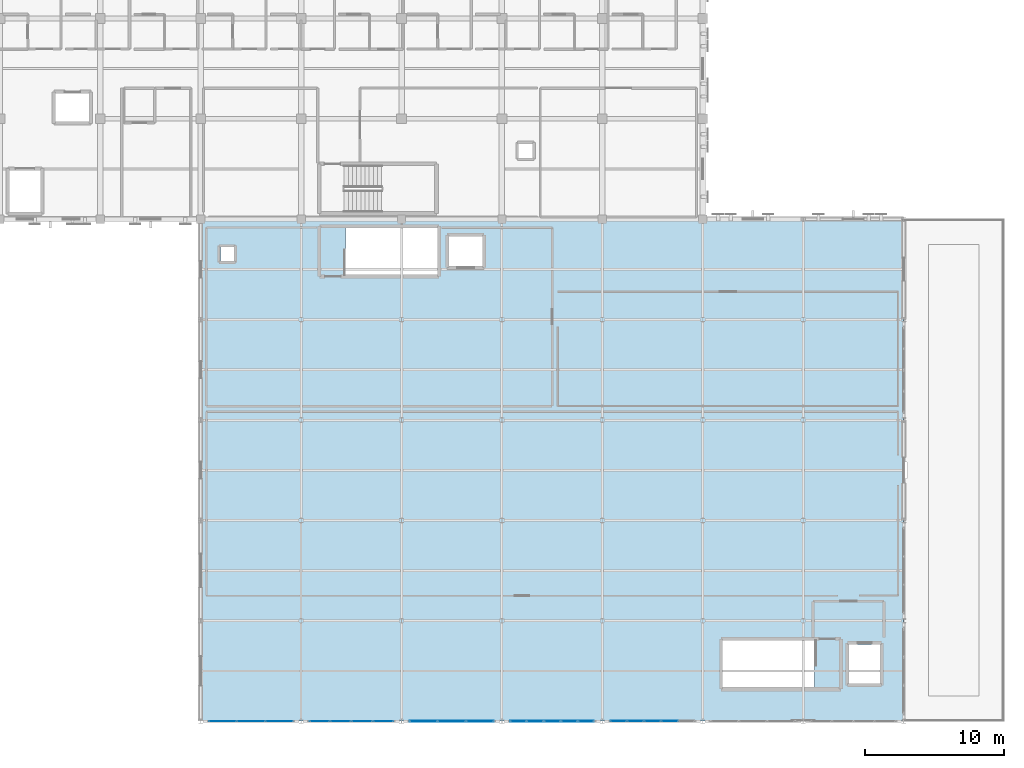
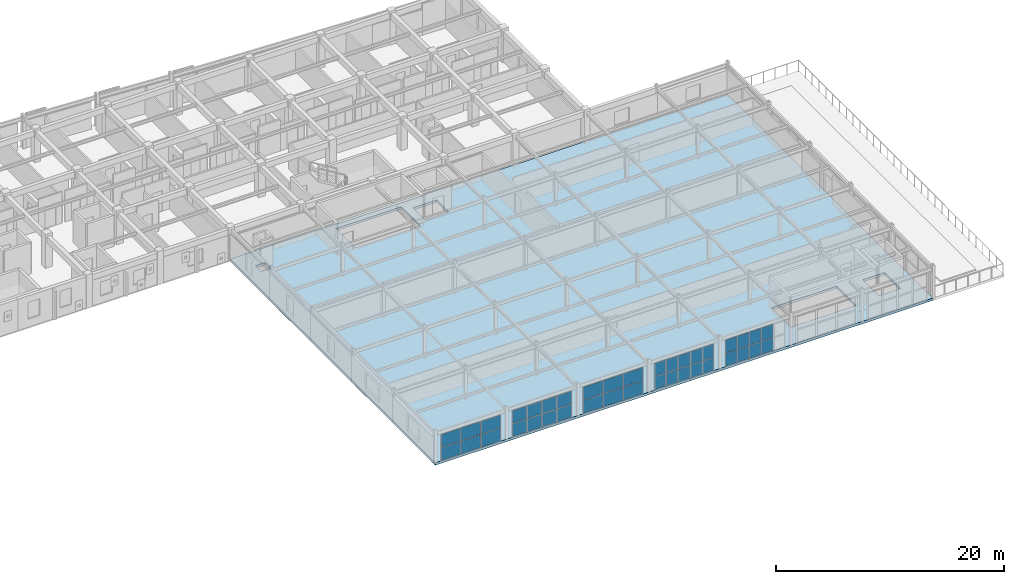
# One storey, part 53 of 73: 38 plates, 1 slab, 5 elements without a shape of their own.
"""IFC4 building model written with IfcOpenShell, lengths in metres."""

from ifc_helpers import new_model, si_unit, direction, frame, origin, origin_2d, place, context, subcontext, project, spatial, polyline, rectangle, outline, extrude, material, layer, layer_set, type_object, element, aggregate, save


model = new_model("IFC4")

# Units and contexts
model_context = context("Model", 3, precision=1e-05, world=origin(), true_north=direction((0.0, 1.0)))
body_context = subcontext(model_context, "Body", "Model", "MODEL_VIEW")
ifc_project = project(units=[si_unit("LENGTHUNIT", "METRE"), si_unit("AREAUNIT", "SQUARE_METRE"), si_unit("VOLUMEUNIT", "CUBIC_METRE"), si_unit("PLANEANGLEUNIT", "RADIAN"), si_unit("MASSUNIT", "GRAM", prefix="KILO")], contexts=[model_context])

# Site, building, storey
site_placement = place(None, origin())
site = spatial("IfcSite", under=ifc_project, at=site_placement, CompositionType="ELEMENT")
building_placement = place(site_placement, origin())
building = spatial("IfcBuilding", under=site, at=building_placement, Name="Carrowvane Square Congress Hotel", CompositionType="ELEMENT")
storey_placement = place(building_placement, frame((0.0, 0.0, 19.199951171875)))
storey = spatial("IfcBuildingStorey", under=building, at=storey_placement, Name="L04", CompositionType="ELEMENT", Elevation=19.199951171875)

# Curtain wall, plates
ifc_material_1 = material(Name="Anodised aluminium", Category="aluminium")
ifc_layer_1 = layer(ifc_material_1, 0.174072265625)
ifc_layer_set_1 = layer_set([ifc_layer_1], Name="Anodised aluminium")
curtain_wall_type_1 = type_object("IfcCurtainWallType", Name="CW-SYS-2", PredefinedType="NOTDEFINED", material=ifc_layer_set_1)
curtain_wall_1_placement = place(storey_placement, origin())
curtain_wall_1 = element("IfcCurtainWall", 1, at=curtain_wall_1_placement, inside=storey, type_object=curtain_wall_type_1, Name="L04 unitised curtain wall 305", PredefinedType="NOTDEFINED")
ifc_material_2 = material(Name="Double-glazed low-E glass", Category="glass")
ifc_layer_2 = layer(ifc_material_2, 0.028076171875)
ifc_layer_set_2 = layer_set([ifc_layer_2], Name="Double-glazed low-E glass")
plate_type_1 = type_object("IfcPlateType", Name="CW-PAN-1", PredefinedType="CURTAIN_PANEL", material=ifc_layer_set_2)
plate_1_placement = place(storey_placement, frame((139.87744140625, 55.800048828125, 0.070068359375), z_axis=(0.0, 0.0, 1.0), x_axis=(-1.0, 0.0, 0.0)))
plate_1 = element("IfcPlate", 2, at=plate_1_placement, type_object=plate_type_1, Name="CW-2 panel 1.1", PredefinedType="CURTAIN_PANEL", context=body_context, shape_type="SweptSolid", body=[
    extrude(rectangle(XDim=1.425048828125, YDim=0.028076171875, at=origin_2d()), origin(), (0.0, 0.0, 1.0), 1.35791015625),
])
plate_2_placement = place(storey_placement, frame((139.87744140625, 55.800048828125, 1.497802734375), z_axis=(0.0, 0.0, 1.0), x_axis=(-1.0, 0.0, 0.0)))
plate_2 = element("IfcPlate", 3, at=plate_2_placement, type_object=plate_type_1, Name="CW-2 panel 1.2", PredefinedType="CURTAIN_PANEL", context=body_context, shape_type="SweptSolid", body=[
    extrude(rectangle(XDim=1.425048828125, YDim=0.028076171875, at=origin_2d()), origin(), (0.0, 0.0, 1.0), 1.35791015625),
])
plate_3_placement = place(storey_placement, frame((138.364990234375, 55.800048828125, 0.070068359375), z_axis=(0.0, 0.0, 1.0), x_axis=(-1.0, 0.0, 0.0)))
plate_3 = element("IfcPlate", 4, at=plate_3_placement, type_object=plate_type_1, Name="CW-2 panel 2.1", PredefinedType="CURTAIN_PANEL", context=body_context, shape_type="SweptSolid", body=[
    extrude(rectangle(XDim=1.4599609375, YDim=0.028076171875, at=origin_2d()), origin(), (0.0, 0.0, 1.0), 1.35791015625),
])
plate_4_placement = place(storey_placement, frame((138.364990234375, 55.800048828125, 1.497802734375), z_axis=(0.0, 0.0, 1.0), x_axis=(-1.0, 0.0, 0.0)))
plate_4 = element("IfcPlate", 5, at=plate_4_placement, type_object=plate_type_1, Name="CW-2 panel 2.2", PredefinedType="CURTAIN_PANEL", context=body_context, shape_type="SweptSolid", body=[
    extrude(rectangle(XDim=1.4599609375, YDim=0.028076171875, at=origin_2d()), origin(), (0.0, 0.0, 1.0), 1.35791015625),
])
plate_5_placement = place(storey_placement, frame((136.8349609375, 55.800048828125, 0.070068359375), z_axis=(0.0, 0.0, 1.0), x_axis=(-1.0, 0.0, 0.0)))
plate_5 = element("IfcPlate", 6, at=plate_5_placement, type_object=plate_type_1, Name="CW-2 panel 3.1", PredefinedType="CURTAIN_PANEL", context=body_context, shape_type="SweptSolid", body=[
    extrude(rectangle(XDim=1.4599609375, YDim=0.028076171875, at=origin_2d()), origin(), (0.0, 0.0, 1.0), 1.35791015625),
])
plate_6_placement = place(storey_placement, frame((136.8349609375, 55.800048828125, 1.497802734375), z_axis=(0.0, 0.0, 1.0), x_axis=(-1.0, 0.0, 0.0)))
plate_6 = element("IfcPlate", 7, at=plate_6_placement, type_object=plate_type_1, Name="CW-2 panel 3.2", PredefinedType="CURTAIN_PANEL", context=body_context, shape_type="SweptSolid", body=[
    extrude(rectangle(XDim=1.4599609375, YDim=0.028076171875, at=origin_2d()), origin(), (0.0, 0.0, 1.0), 1.35791015625),
])
plate_7_placement = place(storey_placement, frame((135.322509765625, 55.800048828125, 0.070068359375), z_axis=(0.0, 0.0, 1.0), x_axis=(-1.0, 0.0, 0.0)))
plate_7 = element("IfcPlate", 8, at=plate_7_placement, type_object=plate_type_1, Name="CW-2 panel 4.1", PredefinedType="CURTAIN_PANEL", context=body_context, shape_type="SweptSolid", body=[
    extrude(rectangle(XDim=1.425048828125, YDim=0.028076171875, at=origin_2d()), origin(), (0.0, 0.0, 1.0), 1.35791015625),
])
plate_8_placement = place(storey_placement, frame((135.322509765625, 55.800048828125, 1.497802734375), z_axis=(0.0, 0.0, 1.0), x_axis=(-1.0, 0.0, 0.0)))
plate_8 = element("IfcPlate", 9, at=plate_8_placement, type_object=plate_type_1, Name="CW-2 panel 4.2", PredefinedType="CURTAIN_PANEL", context=body_context, shape_type="SweptSolid", body=[
    extrude(rectangle(XDim=1.425048828125, YDim=0.028076171875, at=origin_2d()), origin(), (0.0, 0.0, 1.0), 1.35791015625),
])
aggregate(curtain_wall_1, [plate_1, plate_2, plate_3, plate_4, plate_5, plate_6, plate_7, plate_8])

ifc_material_3 = material(Name="Anodised aluminium", Category="aluminium")
ifc_layer_3 = layer(ifc_material_3, 0.18603515625)
ifc_layer_set_3 = layer_set([ifc_layer_3], Name="Anodised aluminium")
curtain_wall_type_2 = type_object("IfcCurtainWallType", Name="CW-SYS-3", PredefinedType="NOTDEFINED", material=ifc_layer_set_3)
curtain_wall_2_placement = place(storey_placement, origin())
curtain_wall_2 = element("IfcCurtainWall", 10, at=curtain_wall_2_placement, inside=storey, type_object=curtain_wall_type_2, Name="L04 unitised curtain wall 306", PredefinedType="NOTDEFINED")
ifc_material_4 = material(Name="Double-glazed low-E glass", Category="glass")
ifc_layer_4 = layer(ifc_material_4, 0.031982421875)
ifc_layer_set_4 = layer_set([ifc_layer_4], Name="Double-glazed low-E glass")
plate_type_2 = type_object("IfcPlateType", Name="CW-PAN-2", PredefinedType="CURTAIN_PANEL", material=ifc_layer_set_4)
plate_9_placement = place(storey_placement, frame((132.425048828125, 55.800048828125, 0.06005859375), z_axis=(0.0, 0.0, 1.0), x_axis=(-1.0, 0.0, 0.0)))
plate_9 = element("IfcPlate", 11, at=plate_9_placement, type_object=plate_type_2, Name="CW-3 panel 1.1", PredefinedType="CURTAIN_PANEL", context=body_context, shape_type="SweptSolid", body=[
    extrude(rectangle(XDim=1.949951171875, YDim=0.031982421875, at=origin_2d()), origin(), (0.0, 0.0, 1.0), 1.347412109375),
])
plate_10_placement = place(storey_placement, frame((132.425048828125, 55.800048828125, 1.4677734375), z_axis=(0.0, 0.0, 1.0), x_axis=(-1.0, 0.0, 0.0)))
plate_10 = element("IfcPlate", 12, at=plate_10_placement, type_object=plate_type_2, Name="CW-3 panel 1.2", PredefinedType="CURTAIN_PANEL", context=body_context, shape_type="SweptSolid", body=[
    extrude(rectangle(XDim=1.949951171875, YDim=0.031982421875, at=origin_2d()), origin(), (0.0, 0.0, 1.0), 1.347412109375),
])
plate_11_placement = place(storey_placement, frame((130.39990234375, 55.800048828125, 0.06005859375), z_axis=(0.0, 0.0, 1.0), x_axis=(-1.0, 0.0, 0.0)))
plate_11 = element("IfcPlate", 13, at=plate_11_placement, type_object=plate_type_2, Name="CW-3 panel 2.1", PredefinedType="CURTAIN_PANEL", context=body_context, shape_type="SweptSolid", body=[
    extrude(rectangle(XDim=1.97998046875, YDim=0.031982421875, at=origin_2d()), origin(), (0.0, 0.0, 1.0), 1.347412109375),
])
plate_12_placement = place(storey_placement, frame((130.39990234375, 55.800048828125, 1.4677734375), z_axis=(0.0, 0.0, 1.0), x_axis=(-1.0, 0.0, 0.0)))
plate_12 = element("IfcPlate", 14, at=plate_12_placement, type_object=plate_type_2, Name="CW-3 panel 2.2", PredefinedType="CURTAIN_PANEL", context=body_context, shape_type="SweptSolid", body=[
    extrude(rectangle(XDim=1.97998046875, YDim=0.031982421875, at=origin_2d()), origin(), (0.0, 0.0, 1.0), 1.347412109375),
])
plate_13_placement = place(storey_placement, frame((128.375, 55.800048828125, 0.06005859375), z_axis=(0.0, 0.0, 1.0), x_axis=(-1.0, 0.0, 0.0)))
plate_13 = element("IfcPlate", 15, at=plate_13_placement, type_object=plate_type_2, Name="CW-3 panel 3.1", PredefinedType="CURTAIN_PANEL", context=body_context, shape_type="SweptSolid", body=[
    extrude(rectangle(XDim=1.949951171875, YDim=0.031982421875, at=origin_2d()), origin(), (0.0, 0.0, 1.0), 1.347412109375),
])
plate_14_placement = place(storey_placement, frame((128.375, 55.800048828125, 1.4677734375), z_axis=(0.0, 0.0, 1.0), x_axis=(-1.0, 0.0, 0.0)))
plate_14 = element("IfcPlate", 16, at=plate_14_placement, type_object=plate_type_2, Name="CW-3 panel 3.2", PredefinedType="CURTAIN_PANEL", context=body_context, shape_type="SweptSolid", body=[
    extrude(rectangle(XDim=1.949951171875, YDim=0.031982421875, at=origin_2d()), origin(), (0.0, 0.0, 1.0), 1.347412109375),
])
aggregate(curtain_wall_2, [plate_9, plate_10, plate_11, plate_12, plate_13, plate_14])

ifc_material_5 = material(Name="Anodised aluminium", Category="aluminium")
ifc_layer_5 = layer(ifc_material_5, 0.23388671875)
ifc_layer_set_5 = layer_set([ifc_layer_5], Name="Anodised aluminium")
curtain_wall_type_3 = type_object("IfcCurtainWallType", Name="CW-SYS-7", PredefinedType="NOTDEFINED", material=ifc_layer_set_5)
curtain_wall_3_placement = place(storey_placement, origin())
curtain_wall_3 = element("IfcCurtainWall", 17, at=curtain_wall_3_placement, inside=storey, type_object=curtain_wall_type_3, Name="L04 unitised curtain wall 302", PredefinedType="NOTDEFINED")
ifc_material_6 = material(Name="Double-glazed low-E glass", Category="glass")
ifc_layer_6 = layer(ifc_material_6, 0.035888671875)
ifc_layer_set_6 = layer_set([ifc_layer_6], Name="Double-glazed low-E glass")
plate_type_3 = type_object("IfcPlateType", Name="CW-PAN-3", PredefinedType="CURTAIN_PANEL", material=ifc_layer_set_6)
plate_15_placement = place(storey_placement, frame((160.424072265625, 55.800048828125, 0.06005859375), z_axis=(0.0, 0.0, 1.0), x_axis=(-1.0, 0.0, 0.0)))
plate_15 = element("IfcPlate", 18, at=plate_15_placement, type_object=plate_type_3, Name="CW-7 panel 2.1", PredefinedType="CURTAIN_PANEL", context=body_context, shape_type="SweptSolid", body=[
    extrude(rectangle(XDim=1.1640625, YDim=0.035888671875, at=origin_2d()), origin(), (0.0, 0.0, 1.0), 1.372802734375),
])
plate_16_placement = place(storey_placement, frame((160.424072265625, 55.800048828125, 1.49267578125), z_axis=(0.0, 0.0, 1.0), x_axis=(-1.0, 0.0, 0.0)))
plate_16 = element("IfcPlate", 19, at=plate_16_placement, type_object=plate_type_3, Name="CW-7 panel 2.2", PredefinedType="CURTAIN_PANEL", context=body_context, shape_type="SweptSolid", body=[
    extrude(rectangle(XDim=1.1640625, YDim=0.035888671875, at=origin_2d()), origin(), (0.0, 0.0, 1.0), 1.372802734375),
])
plate_17_placement = place(storey_placement, frame((159.199951171875, 55.800048828125, 0.06005859375), z_axis=(0.0, 0.0, 1.0), x_axis=(-1.0, 0.0, 0.0)))
plate_17 = element("IfcPlate", 20, at=plate_17_placement, type_object=plate_type_3, Name="CW-7 panel 3.1", PredefinedType="CURTAIN_PANEL", context=body_context, shape_type="SweptSolid", body=[
    extrude(rectangle(XDim=1.1640625, YDim=0.035888671875, at=origin_2d()), origin(), (0.0, 0.0, 1.0), 1.372802734375),
])
plate_18_placement = place(storey_placement, frame((159.199951171875, 55.800048828125, 1.49267578125), z_axis=(0.0, 0.0, 1.0), x_axis=(-1.0, 0.0, 0.0)))
plate_18 = element("IfcPlate", 21, at=plate_18_placement, type_object=plate_type_3, Name="CW-7 panel 3.2", PredefinedType="CURTAIN_PANEL", context=body_context, shape_type="SweptSolid", body=[
    extrude(rectangle(XDim=1.1640625, YDim=0.035888671875, at=origin_2d()), origin(), (0.0, 0.0, 1.0), 1.372802734375),
])
plate_19_placement = place(storey_placement, frame((157.97607421875, 55.800048828125, 0.06005859375), z_axis=(0.0, 0.0, 1.0), x_axis=(-1.0, 0.0, 0.0)))
plate_19 = element("IfcPlate", 22, at=plate_19_placement, type_object=plate_type_3, Name="CW-7 panel 4.1", PredefinedType="CURTAIN_PANEL", context=body_context, shape_type="SweptSolid", body=[
    extrude(rectangle(XDim=1.1640625, YDim=0.035888671875, at=origin_2d()), origin(), (0.0, 0.0, 1.0), 1.372802734375),
])
plate_20_placement = place(storey_placement, frame((157.97607421875, 55.800048828125, 1.49267578125), z_axis=(0.0, 0.0, 1.0), x_axis=(-1.0, 0.0, 0.0)))
plate_20 = element("IfcPlate", 23, at=plate_20_placement, type_object=plate_type_3, Name="CW-7 panel 4.2", PredefinedType="CURTAIN_PANEL", context=body_context, shape_type="SweptSolid", body=[
    extrude(rectangle(XDim=1.1640625, YDim=0.035888671875, at=origin_2d()), origin(), (0.0, 0.0, 1.0), 1.372802734375),
])
plate_21_placement = place(storey_placement, frame((156.76708984375, 55.800048828125, 0.06005859375), z_axis=(0.0, 0.0, 1.0), x_axis=(-1.0, 0.0, 0.0)))
plate_21 = element("IfcPlate", 24, at=plate_21_placement, type_object=plate_type_3, Name="CW-7 panel 5.1", PredefinedType="CURTAIN_PANEL", context=body_context, shape_type="SweptSolid", body=[
    extrude(rectangle(XDim=1.134033203125, YDim=0.035888671875, at=origin_2d()), origin(), (0.0, 0.0, 1.0), 1.372802734375),
])
plate_22_placement = place(storey_placement, frame((156.76708984375, 55.800048828125, 1.49267578125), z_axis=(0.0, 0.0, 1.0), x_axis=(-1.0, 0.0, 0.0)))
plate_22 = element("IfcPlate", 25, at=plate_22_placement, type_object=plate_type_3, Name="CW-7 panel 5.2", PredefinedType="CURTAIN_PANEL", context=body_context, shape_type="SweptSolid", body=[
    extrude(rectangle(XDim=1.134033203125, YDim=0.035888671875, at=origin_2d()), origin(), (0.0, 0.0, 1.0), 1.372802734375),
])
aggregate(curtain_wall_3, [plate_15, plate_16, plate_17, plate_18, plate_19, plate_20, plate_21, plate_22])

ifc_material_7 = material(Name="Anodised aluminium", Category="aluminium")
ifc_layer_7 = layer(ifc_material_7, 0.24609375)
ifc_layer_set_7 = layer_set([ifc_layer_7], Name="Anodised aluminium")
curtain_wall_type_4 = type_object("IfcCurtainWallType", Name="CW-SYS-8", PredefinedType="NOTDEFINED", material=ifc_layer_set_7)
curtain_wall_4_placement = place(storey_placement, origin())
curtain_wall_4 = element("IfcCurtainWall", 26, at=curtain_wall_4_placement, inside=storey, type_object=curtain_wall_type_4, Name="L04 unitised curtain wall 303", PredefinedType="NOTDEFINED")
ifc_material_8 = material(Name="Double-glazed low-E glass", Category="glass")
ifc_layer_8 = layer(ifc_material_8, 0.0419921875)
ifc_layer_set_8 = layer_set([ifc_layer_8], Name="Double-glazed low-E glass")
plate_type_4 = type_object("IfcPlateType", Name="CW-PAN-4", PredefinedType="CURTAIN_PANEL", material=ifc_layer_set_8)
plate_23_placement = place(storey_placement, frame((154.430419921875, 55.800048828125, 0.070068359375), z_axis=(0.0, 0.0, 1.0), x_axis=(-1.0, 0.0, 0.0)))
plate_23 = element("IfcPlate", 27, at=plate_23_placement, type_object=plate_type_4, Name="CW-8 panel 1.1", PredefinedType="CURTAIN_PANEL", context=body_context, shape_type="SweptSolid", body=[
    extrude(rectangle(XDim=1.118896484375, YDim=0.0419921875, at=origin_2d()), origin(), (0.0, 0.0, 1.0), 1.35791015625),
])
plate_24_placement = place(storey_placement, frame((154.430419921875, 55.800048828125, 1.497802734375), z_axis=(0.0, 0.0, 1.0), x_axis=(-1.0, 0.0, 0.0)))
plate_24 = element("IfcPlate", 28, at=plate_24_placement, type_object=plate_type_4, Name="CW-8 panel 1.2", PredefinedType="CURTAIN_PANEL", context=body_context, shape_type="SweptSolid", body=[
    extrude(rectangle(XDim=1.118896484375, YDim=0.0419921875, at=origin_2d()), origin(), (0.0, 0.0, 1.0), 1.35791015625),
])
plate_25_placement = place(storey_placement, frame((153.22412109375, 55.800048828125, 0.070068359375), z_axis=(0.0, 0.0, 1.0), x_axis=(-1.0, 0.0, 0.0)))
plate_25 = element("IfcPlate", 29, at=plate_25_placement, type_object=plate_type_4, Name="CW-8 panel 2.1", PredefinedType="CURTAIN_PANEL", context=body_context, shape_type="SweptSolid", body=[
    extrude(rectangle(XDim=1.154052734375, YDim=0.0419921875, at=origin_2d()), origin(), (0.0, 0.0, 1.0), 1.35791015625),
])
plate_26_placement = place(storey_placement, frame((153.22412109375, 55.800048828125, 1.497802734375), z_axis=(0.0, 0.0, 1.0), x_axis=(-1.0, 0.0, 0.0)))
plate_26 = element("IfcPlate", 30, at=plate_26_placement, type_object=plate_type_4, Name="CW-8 panel 2.2", PredefinedType="CURTAIN_PANEL", context=body_context, shape_type="SweptSolid", body=[
    extrude(rectangle(XDim=1.154052734375, YDim=0.0419921875, at=origin_2d()), origin(), (0.0, 0.0, 1.0), 1.35791015625),
])
plate_27_placement = place(storey_placement, frame((152.0, 55.800048828125, 0.070068359375), z_axis=(0.0, 0.0, 1.0), x_axis=(-1.0, 0.0, 0.0)))
plate_27 = element("IfcPlate", 31, at=plate_27_placement, type_object=plate_type_4, Name="CW-8 panel 3.1", PredefinedType="CURTAIN_PANEL", context=body_context, shape_type="SweptSolid", body=[
    extrude(rectangle(XDim=1.154052734375, YDim=0.0419921875, at=origin_2d()), origin(), (0.0, 0.0, 1.0), 1.35791015625),
])
plate_28_placement = place(storey_placement, frame((152.0, 55.800048828125, 1.497802734375), z_axis=(0.0, 0.0, 1.0), x_axis=(-1.0, 0.0, 0.0)))
plate_28 = element("IfcPlate", 32, at=plate_28_placement, type_object=plate_type_4, Name="CW-8 panel 3.2", PredefinedType="CURTAIN_PANEL", context=body_context, shape_type="SweptSolid", body=[
    extrude(rectangle(XDim=1.154052734375, YDim=0.0419921875, at=origin_2d()), origin(), (0.0, 0.0, 1.0), 1.35791015625),
])
plate_29_placement = place(storey_placement, frame((150.77587890625, 55.800048828125, 0.070068359375), z_axis=(0.0, 0.0, 1.0), x_axis=(-1.0, 0.0, 0.0)))
plate_29 = element("IfcPlate", 33, at=plate_29_placement, type_object=plate_type_4, Name="CW-8 panel 4.1", PredefinedType="CURTAIN_PANEL", context=body_context, shape_type="SweptSolid", body=[
    extrude(rectangle(XDim=1.154052734375, YDim=0.0419921875, at=origin_2d()), origin(), (0.0, 0.0, 1.0), 1.35791015625),
])
plate_30_placement = place(storey_placement, frame((150.77587890625, 55.800048828125, 1.497802734375), z_axis=(0.0, 0.0, 1.0), x_axis=(-1.0, 0.0, 0.0)))
plate_30 = element("IfcPlate", 34, at=plate_30_placement, type_object=plate_type_4, Name="CW-8 panel 4.2", PredefinedType="CURTAIN_PANEL", context=body_context, shape_type="SweptSolid", body=[
    extrude(rectangle(XDim=1.154052734375, YDim=0.0419921875, at=origin_2d()), origin(), (0.0, 0.0, 1.0), 1.35791015625),
])
plate_31_placement = place(storey_placement, frame((149.569580078125, 55.800048828125, 0.070068359375), z_axis=(0.0, 0.0, 1.0), x_axis=(-1.0, 0.0, 0.0)))
plate_31 = element("IfcPlate", 35, at=plate_31_placement, type_object=plate_type_4, Name="CW-8 panel 5.1", PredefinedType="CURTAIN_PANEL", context=body_context, shape_type="SweptSolid", body=[
    extrude(rectangle(XDim=1.118896484375, YDim=0.0419921875, at=origin_2d()), origin(), (0.0, 0.0, 1.0), 1.35791015625),
])
plate_32_placement = place(storey_placement, frame((149.569580078125, 55.800048828125, 1.497802734375), z_axis=(0.0, 0.0, 1.0), x_axis=(-1.0, 0.0, 0.0)))
plate_32 = element("IfcPlate", 36, at=plate_32_placement, type_object=plate_type_4, Name="CW-8 panel 5.2", PredefinedType="CURTAIN_PANEL", context=body_context, shape_type="SweptSolid", body=[
    extrude(rectangle(XDim=1.118896484375, YDim=0.0419921875, at=origin_2d()), origin(), (0.0, 0.0, 1.0), 1.35791015625),
])
aggregate(curtain_wall_4, [plate_23, plate_24, plate_25, plate_26, plate_27, plate_28, plate_29, plate_30, plate_31, plate_32])

ifc_material_9 = material(Name="Anodised aluminium", Category="aluminium")
ifc_layer_9 = layer(ifc_material_9, 0.162109375)
ifc_layer_set_9 = layer_set([ifc_layer_9], Name="Anodised aluminium")
curtain_wall_type_5 = type_object("IfcCurtainWallType", Name="CW-SYS-1", PredefinedType="NOTDEFINED", material=ifc_layer_set_9)
curtain_wall_5_placement = place(storey_placement, origin())
curtain_wall_5 = element("IfcCurtainWall", 37, at=curtain_wall_5_placement, inside=storey, type_object=curtain_wall_type_5, Name="L04 unitised curtain wall 304", PredefinedType="NOTDEFINED")
ifc_material_10 = material(Name="Double-glazed low-E glass", Category="glass")
ifc_layer_10 = layer(ifc_material_10, 0.048095703125)
ifc_layer_set_10 = layer_set([ifc_layer_10], Name="Double-glazed low-E glass")
plate_type_5 = type_object("IfcPlateType", Name="CW-PAN-5", PredefinedType="CURTAIN_PANEL", material=ifc_layer_set_10)
plate_33_placement = place(storey_placement, frame((146.824951171875, 55.800048828125, 0.06005859375), z_axis=(0.0, 0.0, 1.0), x_axis=(-1.0, 0.0, 0.0)))
plate_33 = element("IfcPlate", 38, at=plate_33_placement, type_object=plate_type_5, Name="CW-1 panel 1.1", PredefinedType="CURTAIN_PANEL", context=body_context, shape_type="SweptSolid", body=[
    extrude(rectangle(XDim=1.949951171875, YDim=0.048095703125, at=origin_2d()), origin(), (0.0, 0.0, 1.0), 1.372802734375),
])
plate_34_placement = place(storey_placement, frame((146.824951171875, 55.800048828125, 1.49267578125), z_axis=(0.0, 0.0, 1.0), x_axis=(-1.0, 0.0, 0.0)))
plate_34 = element("IfcPlate", 39, at=plate_34_placement, type_object=plate_type_5, Name="CW-1 panel 1.2", PredefinedType="CURTAIN_PANEL", context=body_context, shape_type="SweptSolid", body=[
    extrude(rectangle(XDim=1.949951171875, YDim=0.048095703125, at=origin_2d()), origin(), (0.0, 0.0, 1.0), 1.372802734375),
])
plate_35_placement = place(storey_placement, frame((144.800048828125, 55.800048828125, 0.06005859375), z_axis=(0.0, 0.0, 1.0), x_axis=(-1.0, 0.0, 0.0)))
plate_35 = element("IfcPlate", 40, at=plate_35_placement, type_object=plate_type_5, Name="CW-1 panel 2.1", PredefinedType="CURTAIN_PANEL", context=body_context, shape_type="SweptSolid", body=[
    extrude(rectangle(XDim=1.97998046875, YDim=0.048095703125, at=origin_2d()), origin(), (0.0, 0.0, 1.0), 1.372802734375),
])
plate_36_placement = place(storey_placement, frame((144.800048828125, 55.800048828125, 1.49267578125), z_axis=(0.0, 0.0, 1.0), x_axis=(-1.0, 0.0, 0.0)))
plate_36 = element("IfcPlate", 41, at=plate_36_placement, type_object=plate_type_5, Name="CW-1 panel 2.2", PredefinedType="CURTAIN_PANEL", context=body_context, shape_type="SweptSolid", body=[
    extrude(rectangle(XDim=1.97998046875, YDim=0.048095703125, at=origin_2d()), origin(), (0.0, 0.0, 1.0), 1.372802734375),
])
plate_37_placement = place(storey_placement, frame((142.77490234375, 55.800048828125, 0.06005859375), z_axis=(0.0, 0.0, 1.0), x_axis=(-1.0, 0.0, 0.0)))
plate_37 = element("IfcPlate", 42, at=plate_37_placement, type_object=plate_type_5, Name="CW-1 panel 3.1", PredefinedType="CURTAIN_PANEL", context=body_context, shape_type="SweptSolid", body=[
    extrude(rectangle(XDim=1.949951171875, YDim=0.048095703125, at=origin_2d()), origin(), (0.0, 0.0, 1.0), 1.372802734375),
])
plate_38_placement = place(storey_placement, frame((142.77490234375, 55.800048828125, 1.49267578125), z_axis=(0.0, 0.0, 1.0), x_axis=(-1.0, 0.0, 0.0)))
plate_38 = element("IfcPlate", 43, at=plate_38_placement, type_object=plate_type_5, Name="CW-1 panel 3.2", PredefinedType="CURTAIN_PANEL", context=body_context, shape_type="SweptSolid", body=[
    extrude(rectangle(XDim=1.949951171875, YDim=0.048095703125, at=origin_2d()), origin(), (0.0, 0.0, 1.0), 1.372802734375),
])
aggregate(curtain_wall_5, [plate_33, plate_34, plate_35, plate_36, plate_37, plate_38])

# Slab
ifc_material_11 = material(Name="Concrete C35/45", Category="concrete")
ifc_layer_11 = layer(ifc_material_11, 0.260009765625)
ifc_layer_set_11 = layer_set([ifc_layer_11], Name="Concrete C35/45")
slab_type = type_object("IfcSlabType", Name="SLB-FLR-260", PredefinedType="FLOOR", material=ifc_layer_set_11)
slab_placement = place(storey_placement, frame((0.0, 0.0, -0.260009765625)))
element("IfcSlab", 44, at=slab_placement, inside=storey, type_object=slab_type, Name="L04 V3 structural slab", PredefinedType="FLOOR", context=body_context, shape_type="SweptSolid", body=[
    extrude(outline(polyline([(126.800048828125, 55.800048828125), (177.199951171875, 55.800048828125), (177.199951171875, 91.800048828125), (126.800048828125, 91.800048828125), (126.800048828125, 55.800048828125)]), holes=[polyline([(170.81005859375, 61.60009765625), (164.199951171875, 61.60009765625), (164.199951171875, 58.199951171875), (170.81005859375, 58.199951171875), (170.81005859375, 61.60009765625)]), polyline([(137.18994140625, 87.800048828125), (143.800048828125, 87.800048828125), (143.800048828125, 91.199951171875), (137.18994140625, 91.199951171875), (137.18994140625, 87.800048828125)]), polyline([(128.199951171875, 88.800048828125), (129.199951171875, 88.800048828125), (129.199951171875, 89.800048828125), (128.199951171875, 89.800048828125), (128.199951171875, 88.800048828125)]), polyline([(173.300048828125, 58.5), (175.5, 58.5), (175.5, 61.300048828125), (173.300048828125, 61.300048828125), (173.300048828125, 58.5)]), polyline([(144.60009765625, 88.449951171875), (147.0, 88.449951171875), (147.0, 90.550048828125), (144.60009765625, 90.550048828125), (144.60009765625, 88.449951171875)])]), origin(), (0.0, 0.0, 1.0), 0.260009765625),
])

save(model, "model.ifc")
